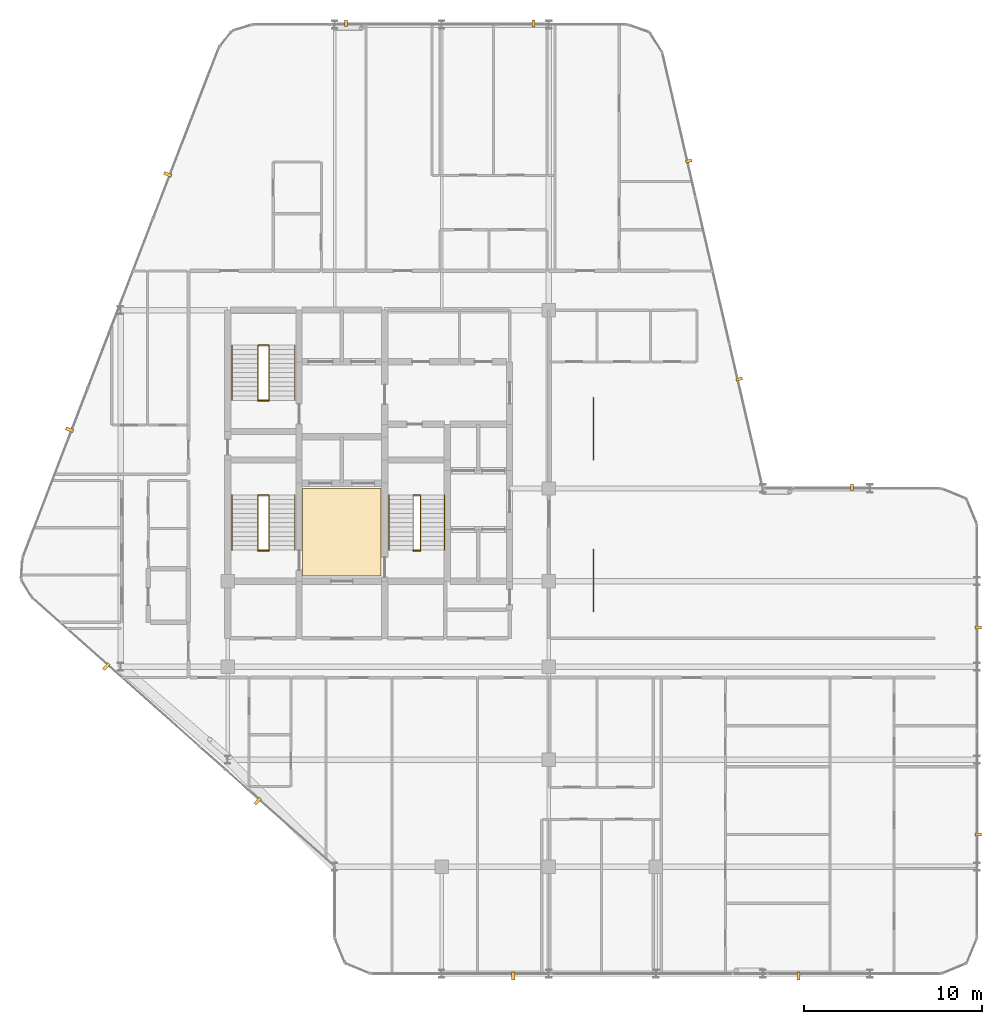
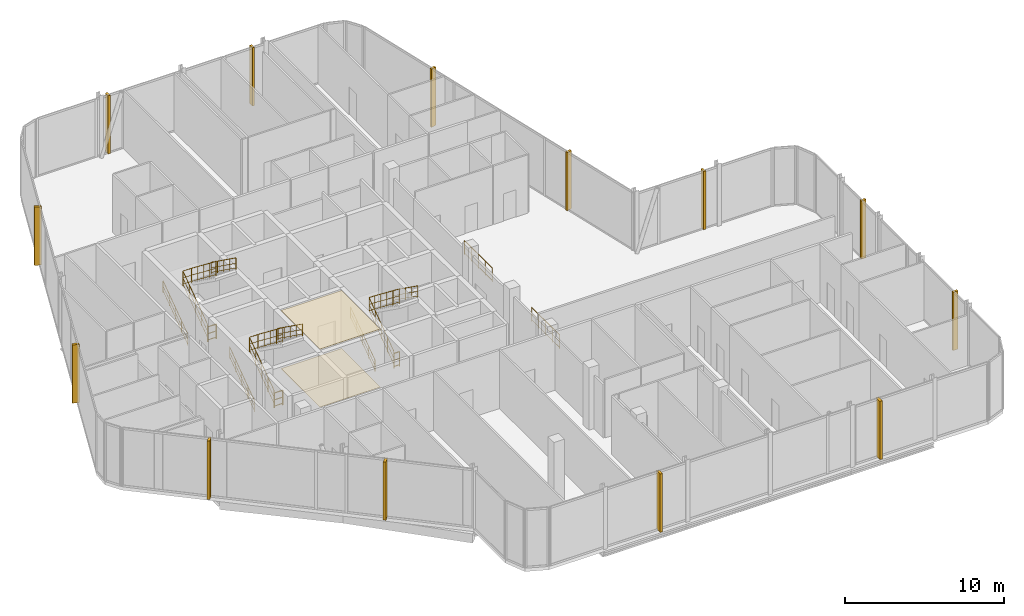
# One storey, part 29 of 29: 15 coverings, 14 railings.
"""IFC4 building model written with IfcOpenShell, lengths in metres."""

from ifc_helpers import new_model, si_unit, direction, frame, origin, origin_2d, place, context, subcontext, project, spatial, polyline, rectangle, circle, outline, extrude, material, layer, layer_set, type_object, element, save


model = new_model("IFC4")

# Units and contexts
model_context = context("Model", 3, precision=1e-05, world=origin(), true_north=direction((0.0, 1.0)))
body_context = subcontext(model_context, "Body", "Model", "MODEL_VIEW")
ifc_project = project(units=[si_unit("LENGTHUNIT", "METRE"), si_unit("AREAUNIT", "SQUARE_METRE"), si_unit("VOLUMEUNIT", "CUBIC_METRE"), si_unit("PLANEANGLEUNIT", "RADIAN"), si_unit("MASSUNIT", "GRAM", prefix="KILO")], contexts=[model_context])

# Site, building, storey
site_placement = place(None, origin())
site = spatial("IfcSite", under=ifc_project, at=site_placement, CompositionType="ELEMENT")
building_placement = place(site_placement, origin())
building = spatial("IfcBuilding", under=site, at=building_placement, Name="Keshet Zoharim Tower", CompositionType="ELEMENT")
storey_placement = place(building_placement, frame((0.0, 0.0, 218.0)))
storey = spatial("IfcBuildingStorey", under=building, at=storey_placement, Name="L54", CompositionType="ELEMENT", Elevation=218.0)

# Coverings
ifc_material_1 = material(Name="Gypsum Plasterboard", Category="gypsum")
ifc_layer_1 = layer(ifc_material_1, 0.02490234375)
ifc_layer_set_1 = layer_set([ifc_layer_1], Name="Gypsum Plasterboard")
covering_type_1 = type_object("IfcCoveringType", Name="CV-CLG-025", PredefinedType="CEILING", material=ifc_layer_set_1)
covering_1_placement = place(storey_placement, frame((0.0, 0.0, 4.465087890625)))
element("IfcCovering", 1, at=covering_1_placement, inside=storey, type_object=covering_type_1, Name="L54 Transfer Lobby Acoustic Ceiling", PredefinedType="CEILING", context=body_context, shape_type="SweptSolid", body=[
    extrude(outline(polyline([(19.199951171875, 23.0), (23.60009765625, 23.0), (23.60009765625, 27.89990234375), (19.199951171875, 27.89990234375), (19.199951171875, 23.0)])), origin(), (0.0, 0.0, 1.0), 0.02490234375),
])
ifc_material_2 = material(Name="Porcelain Ceramic Tile", Category="ceramic")
ifc_layer_2 = layer(ifc_material_2, 0.02001953125)
ifc_layer_set_2 = layer_set([ifc_layer_2], Name="Porcelain Ceramic Tile")
covering_type_2 = type_object("IfcCoveringType", Name="CV-FLR-020", PredefinedType="FLOORING", material=ifc_layer_set_2)
covering_2_placement = place(storey_placement, origin())
element("IfcCovering", 2, at=covering_2_placement, inside=storey, type_object=covering_type_2, Name="L54 Transfer Lobby Porcelain Flooring", PredefinedType="FLOORING", context=body_context, shape_type="SweptSolid", body=[
    extrude(outline(polyline([(19.199951171875, 23.0), (23.60009765625, 23.0), (23.60009765625, 27.89990234375), (19.199951171875, 27.89990234375), (19.199951171875, 23.0)])), origin(), (0.0, 0.0, 1.0), 0.02001953125),
])
ifc_material_3 = material(Name="Concrete C50/60 precast", Category="concrete")
covering_type_3 = type_object("IfcCoveringType", Name="FIN-SOL-360", PredefinedType="CLADDING", material=ifc_material_3)
for number, where, z_axis, x_axis, name in (
    (3, (57.080078125, 20.10009765625, 0.0), (0.0, 0.0, 1.0), (0.0, -1.0, 0.0), "L54 Vertical Precast Solar Fin 01"),
    (4, (57.080078125, 8.5, 0.0), (0.0, 0.0, 1.0), (0.0, -1.0, 0.0), "L54 Vertical Precast Solar Fin 02"),
    (5, (21.633056640625, 53.97998046875, 0.0), (0.0, 0.0, 1.0), (1.0, 0.0, 0.0), "L54 Vertical Precast Solar Fin 09"),
    (6, (32.14990234375, 53.97998046875, 0.0), (0.0, 0.0, 1.0), (1.0, 0.0, 0.0), "L54 Vertical Precast Solar Fin 10"),
    (7, (40.845947265625, 46.2548828125, 0.0), (0.0, 0.0, 1.0), (0.224847864369, -0.974393882313, 0.0), "L54 Vertical Precast Solar Fin 11"),
    (8, (43.6669921875, 34.030029296875, 0.0), (0.0, 0.0, 1.0), (0.224847864369, -0.974393882313, 0.0), "L54 Vertical Precast Solar Fin 12"),
    (9, (50.0, 27.97998046875, 0.0), (0.0, 0.0, 1.0), (1.0, 0.0, 0.0), "L54 Vertical Precast Solar Fin 13"),
):
    element("IfcCovering", number, at=place(storey_placement, frame(where, z_axis=z_axis, x_axis=x_axis)), inside=storey, type_object=covering_type_3, Name=name, PredefinedType="CLADDING", context=body_context, shape_type="SweptSolid", body=[
        extrude(rectangle(XDim=0.159912109375, YDim=0.360107421875, at=origin_2d()), origin(), (0.0, 0.0, 1.0), 4.489990234375),
    ])
covering_type_4 = type_object("IfcCoveringType", Name="FIN-SOL-450", PredefinedType="CLADDING", material=ifc_material_3)
for number, where, z_axis, x_axis, name in (
    (10, (47.0, 0.574951171875, 0.0), (0.0, 0.0, 1.0), (-1.0, 0.0, 0.0), "L54 Vertical Precast Solar Fin 03"),
    (11, (31.0, 0.574951171875, 0.0), (0.0, 0.0, 1.0), (-1.0, 0.0, 0.0), "L54 Vertical Precast Solar Fin 04"),
    (12, (16.676025390625, 10.376953125, 0.0), (0.0, 0.0, 1.0), (-0.747409318679, 0.664363838836, 0.0), "L54 Vertical Precast Solar Fin 05"),
    (13, (8.193115234375, 17.9169921875, 0.0), (0.0, 0.0, 1.0), (-0.747409318679, 0.664363838836, 0.0), "L54 Vertical Precast Solar Fin 06"),
    (14, (6.133056640625, 31.194091796875, 0.0), (0.0, 0.0, 1.0), (0.358990003907, 0.933341404361, 0.0), "L54 Vertical Precast Solar Fin 07"),
    (15, (11.637939453125, 45.507080078125, 0.0), (0.0, 0.0, 1.0), (0.358990003907, 0.933341404361, 0.0), "L54 Vertical Precast Solar Fin 08"),
):
    element("IfcCovering", number, at=place(storey_placement, frame(where, z_axis=z_axis, x_axis=x_axis)), inside=storey, type_object=covering_type_4, Name=name, PredefinedType="CLADDING", context=body_context, shape_type="SweptSolid", body=[
        extrude(rectangle(XDim=0.179931640625, YDim=0.449951171875, at=origin_2d()), origin(), (0.0, 0.0, 1.0), 4.489990234375),
    ])

# Railings
ifc_material_4 = material(Name="Insulated Low-E Clear Glass", Category="glass")
ifc_layer_3 = layer(ifc_material_4, 0.080078125)
ifc_layer_set_3 = layer_set([ifc_layer_3], Name="Insulated Low-E Clear Glass")
railing_type_1 = type_object("IfcRailingType", Name="RL-BAL-110", PredefinedType="BALUSTRADE", material=ifc_layer_set_3)
for number, where, name in (
    (16, (35.5, 21.0, 0.0), "L54 Lobby Glazed Balustrade 01"),
    (17, (35.5, 29.5, 0.0), "L54 Lobby Glazed Balustrade 02"),
):
    element("IfcRailing", number, at=place(storey_placement, frame(where)), inside=storey, type_object=railing_type_1, Name=name, PredefinedType="BALUSTRADE", context=body_context, shape_type="SweptSolid", body=[
        extrude(circle(Radius=0.02392578125, at=origin_2d()), frame((0.0, 0.0, 1.076171875), z_axis=(0.0, 1.0, 0.0), x_axis=(-1.0, 0.0, 0.0)), (0.0, 0.0, 1.0), 3.5),
        extrude(circle(Radius=0.01611328125, at=origin_2d()), frame((0.0, 0.0, 0.572021484375), z_axis=(0.0, 1.0, 0.0), x_axis=(-1.0, 0.0, 0.0)), (0.0, 0.0, 1.0), 3.5),
        extrude(circle(Radius=0.01611328125, at=origin_2d()), frame((0.0, 0.0, 0.1201171875), z_axis=(0.0, 1.0, 0.0), x_axis=(-1.0, 0.0, 0.0)), (0.0, 0.0, 1.0), 3.5),
        extrude(circle(Radius=0.02099609375, at=origin_2d()), origin(), (0.0, 0.0, 1.0), 1.052001953125),
        extrude(circle(Radius=0.02099609375, at=origin_2d()), frame((0.0, 0.875, 0.0)), (0.0, 0.0, 1.0), 1.052001953125),
        extrude(circle(Radius=0.02099609375, at=origin_2d()), frame((0.0, 1.75, 0.0)), (0.0, 0.0, 1.0), 1.052001953125),
        extrude(circle(Radius=0.02099609375, at=origin_2d()), frame((0.0, 2.625, 0.0)), (0.0, 0.0, 1.0), 1.052001953125),
        extrude(circle(Radius=0.02099609375, at=origin_2d()), frame((0.0, 3.5, 0.0)), (0.0, 0.0, 1.0), 1.052001953125),
    ])
ifc_material_5 = material(Name="Steel S355", Category="steel")
ifc_layer_4 = layer(ifc_material_5, 0.050048828125)
ifc_layer_set_4 = layer_set([ifc_layer_4], Name="Steel S355")
railing_type_2 = type_object("IfcRailingType", Name="RL-HND-092", PredefinedType="HANDRAIL", material=ifc_layer_set_4)
railing_1_placement = place(storey_placement, frame((15.239990234375, 24.43994140625, 0.1845703125)))
element("IfcRailing", 18, at=railing_1_placement, inside=storey, type_object=railing_type_2, Name="L54 ST-01 Flight 1 Wall Handrail", PredefinedType="HANDRAIL", context=body_context, shape_type="SweptSolid", body=[
    extrude(circle(Radius=0.02392578125, at=origin_2d()), frame((0.0, 0.0, 0.89599609375), z_axis=(0.0, 0.813243534622, 0.581923494453), x_axis=(-1.0, 0.0, 0.0)), (0.0, 0.0, 1.0), 3.806884765625),
    extrude(circle(Radius=0.01611328125, at=origin_2d()), frame((0.0, 0.0, 0.478271484375), z_axis=(0.0, 0.813243534622, 0.581923494453), x_axis=(-1.0, 0.0, 0.0)), (0.0, 0.0, 1.0), 3.806884765625),
    extrude(circle(Radius=0.01611328125, at=origin_2d()), frame((0.0, 0.0, 0.1201171875), z_axis=(0.0, 0.813243534622, 0.581923494453), x_axis=(-1.0, 0.0, 0.0)), (0.0, 0.0, 1.0), 3.806884765625),
    extrude(circle(Radius=0.02099609375, at=origin_2d()), origin(), (0.0, 0.0, 1.0), 0.871826171875),
    extrude(circle(Radius=0.02099609375, at=origin_2d()), frame((0.0, 0.77392578125, 0.5537109375)), (0.0, 0.0, 1.0), 0.871826171875),
    extrude(circle(Radius=0.02099609375, at=origin_2d()), frame((0.0, 1.5478515625, 1.107666015625)), (0.0, 0.0, 1.0), 0.871826171875),
    extrude(circle(Radius=0.02099609375, at=origin_2d()), frame((0.0, 2.322021484375, 1.66162109375)), (0.0, 0.0, 1.0), 0.871826171875),
    extrude(circle(Radius=0.02099609375, at=origin_2d()), frame((0.0, 3.095947265625, 2.21533203125)), (0.0, 0.0, 1.0), 0.871826171875),
])
railing_2_placement = place(storey_placement, frame((18.760009765625, 27.535888671875, 2.584716796875)))
element("IfcRailing", 19, at=railing_2_placement, inside=storey, type_object=railing_type_2, Name="L54 ST-01 Flight 2 Wall Handrail", PredefinedType="HANDRAIL", context=body_context, shape_type="SweptSolid", body=[
    extrude(circle(Radius=0.02392578125, at=origin_2d()), frame((0.0, 0.0, 0.89599609375), z_axis=(0.0, -0.813243534622, 0.581923494453), x_axis=(1.0, 0.0, 0.0)), (0.0, 0.0, 1.0), 3.806884765625),
    extrude(circle(Radius=0.01611328125, at=origin_2d()), frame((0.0, 0.0, 0.478271484375), z_axis=(0.0, -0.813243534622, 0.581923494453), x_axis=(1.0, 0.0, 0.0)), (0.0, 0.0, 1.0), 3.806884765625),
    extrude(circle(Radius=0.01611328125, at=origin_2d()), frame((0.0, 0.0, 0.1201171875), z_axis=(0.0, -0.813243534622, 0.581923494453), x_axis=(1.0, 0.0, 0.0)), (0.0, 0.0, 1.0), 3.806884765625),
    extrude(circle(Radius=0.02099609375, at=origin_2d()), origin(), (0.0, 0.0, 1.0), 0.871826171875),
    extrude(circle(Radius=0.02099609375, at=origin_2d()), frame((0.0, -0.77392578125, 0.5537109375)), (0.0, 0.0, 1.0), 0.871826171875),
    extrude(circle(Radius=0.02099609375, at=origin_2d()), frame((0.0, -1.5478515625, 1.107666015625)), (0.0, 0.0, 1.0), 0.871826171875),
    extrude(circle(Radius=0.02099609375, at=origin_2d()), frame((0.0, -2.322021484375, 1.66162109375)), (0.0, 0.0, 1.0), 0.871826171875),
    extrude(circle(Radius=0.02099609375, at=origin_2d()), frame((0.0, -3.095947265625, 2.21533203125)), (0.0, 0.0, 1.0), 0.871826171875),
])
railing_3_placement = place(storey_placement, frame((15.239990234375, 32.840087890625, 0.1845703125)))
element("IfcRailing", 20, at=railing_3_placement, inside=storey, type_object=railing_type_2, Name="L54 ST-02 Flight 1 Wall Handrail", PredefinedType="HANDRAIL", context=body_context, shape_type="SweptSolid", body=[
    extrude(circle(Radius=0.02392578125, at=origin_2d()), frame((0.0, 0.0, 0.89599609375), z_axis=(0.0, 0.813243534622, 0.581923494453), x_axis=(-1.0, 0.0, 0.0)), (0.0, 0.0, 1.0), 3.806884765625),
    extrude(circle(Radius=0.01611328125, at=origin_2d()), frame((0.0, 0.0, 0.478271484375), z_axis=(0.0, 0.813243534622, 0.581923494453), x_axis=(-1.0, 0.0, 0.0)), (0.0, 0.0, 1.0), 3.806884765625),
    extrude(circle(Radius=0.01611328125, at=origin_2d()), frame((0.0, 0.0, 0.1201171875), z_axis=(0.0, 0.813243534622, 0.581923494453), x_axis=(-1.0, 0.0, 0.0)), (0.0, 0.0, 1.0), 3.806884765625),
    extrude(circle(Radius=0.02099609375, at=origin_2d()), origin(), (0.0, 0.0, 1.0), 0.871826171875),
    extrude(circle(Radius=0.02099609375, at=origin_2d()), frame((0.0, 0.77392578125, 0.5537109375)), (0.0, 0.0, 1.0), 0.871826171875),
    extrude(circle(Radius=0.02099609375, at=origin_2d()), frame((0.0, 1.5478515625, 1.107666015625)), (0.0, 0.0, 1.0), 0.871826171875),
    extrude(circle(Radius=0.02099609375, at=origin_2d()), frame((0.0, 2.322021484375, 1.66162109375)), (0.0, 0.0, 1.0), 0.871826171875),
    extrude(circle(Radius=0.02099609375, at=origin_2d()), frame((0.0, 3.095947265625, 2.21533203125)), (0.0, 0.0, 1.0), 0.871826171875),
])
railing_4_placement = place(storey_placement, frame((18.760009765625, 35.93603515625, 2.584716796875)))
element("IfcRailing", 21, at=railing_4_placement, inside=storey, type_object=railing_type_2, Name="L54 ST-02 Flight 2 Wall Handrail", PredefinedType="HANDRAIL", context=body_context, shape_type="SweptSolid", body=[
    extrude(circle(Radius=0.02392578125, at=origin_2d()), frame((0.0, 0.0, 0.89599609375), z_axis=(0.0, -0.813243534622, 0.581923494453), x_axis=(1.0, 0.0, 0.0)), (0.0, 0.0, 1.0), 3.806884765625),
    extrude(circle(Radius=0.01611328125, at=origin_2d()), frame((0.0, 0.0, 0.478271484375), z_axis=(0.0, -0.813243534622, 0.581923494453), x_axis=(1.0, 0.0, 0.0)), (0.0, 0.0, 1.0), 3.806884765625),
    extrude(circle(Radius=0.01611328125, at=origin_2d()), frame((0.0, 0.0, 0.1201171875), z_axis=(0.0, -0.813243534622, 0.581923494453), x_axis=(1.0, 0.0, 0.0)), (0.0, 0.0, 1.0), 3.806884765625),
    extrude(circle(Radius=0.02099609375, at=origin_2d()), origin(), (0.0, 0.0, 1.0), 0.871826171875),
    extrude(circle(Radius=0.02099609375, at=origin_2d()), frame((0.0, -0.77392578125, 0.5537109375)), (0.0, 0.0, 1.0), 0.871826171875),
    extrude(circle(Radius=0.02099609375, at=origin_2d()), frame((0.0, -1.5478515625, 1.107666015625)), (0.0, 0.0, 1.0), 0.871826171875),
    extrude(circle(Radius=0.02099609375, at=origin_2d()), frame((0.0, -2.322021484375, 1.66162109375)), (0.0, 0.0, 1.0), 0.871826171875),
    extrude(circle(Radius=0.02099609375, at=origin_2d()), frame((0.0, -3.095947265625, 2.21533203125)), (0.0, 0.0, 1.0), 0.871826171875),
])
railing_5_placement = place(storey_placement, frame((24.0400390625, 24.43994140625, 0.1845703125)))
element("IfcRailing", 22, at=railing_5_placement, inside=storey, type_object=railing_type_2, Name="L54 ST-03 Flight 1 Wall Handrail", PredefinedType="HANDRAIL", context=body_context, shape_type="SweptSolid", body=[
    extrude(circle(Radius=0.02392578125, at=origin_2d()), frame((0.0, 0.0, 0.89599609375), z_axis=(0.0, 0.813243534622, 0.581923494453), x_axis=(-1.0, 0.0, 0.0)), (0.0, 0.0, 1.0), 3.806884765625),
    extrude(circle(Radius=0.01611328125, at=origin_2d()), frame((0.0, 0.0, 0.478271484375), z_axis=(0.0, 0.813243534622, 0.581923494453), x_axis=(-1.0, 0.0, 0.0)), (0.0, 0.0, 1.0), 3.806884765625),
    extrude(circle(Radius=0.01611328125, at=origin_2d()), frame((0.0, 0.0, 0.1201171875), z_axis=(0.0, 0.813243534622, 0.581923494453), x_axis=(-1.0, 0.0, 0.0)), (0.0, 0.0, 1.0), 3.806884765625),
    extrude(circle(Radius=0.02099609375, at=origin_2d()), origin(), (0.0, 0.0, 1.0), 0.871826171875),
    extrude(circle(Radius=0.02099609375, at=origin_2d()), frame((0.0, 0.77392578125, 0.5537109375)), (0.0, 0.0, 1.0), 0.871826171875),
    extrude(circle(Radius=0.02099609375, at=origin_2d()), frame((0.0, 1.5478515625, 1.107666015625)), (0.0, 0.0, 1.0), 0.871826171875),
    extrude(circle(Radius=0.02099609375, at=origin_2d()), frame((0.0, 2.322021484375, 1.66162109375)), (0.0, 0.0, 1.0), 0.871826171875),
    extrude(circle(Radius=0.02099609375, at=origin_2d()), frame((0.0, 3.095947265625, 2.21533203125)), (0.0, 0.0, 1.0), 0.871826171875),
])
railing_6_placement = place(storey_placement, frame((27.159912109375, 27.535888671875, 2.584716796875)))
element("IfcRailing", 23, at=railing_6_placement, inside=storey, type_object=railing_type_2, Name="L54 ST-03 Flight 2 Wall Handrail", PredefinedType="HANDRAIL", context=body_context, shape_type="SweptSolid", body=[
    extrude(circle(Radius=0.02392578125, at=origin_2d()), frame((0.0, 0.0, 0.89599609375), z_axis=(0.0, -0.813243534622, 0.581923494453), x_axis=(1.0, 0.0, 0.0)), (0.0, 0.0, 1.0), 3.806884765625),
    extrude(circle(Radius=0.01611328125, at=origin_2d()), frame((0.0, 0.0, 0.478271484375), z_axis=(0.0, -0.813243534622, 0.581923494453), x_axis=(1.0, 0.0, 0.0)), (0.0, 0.0, 1.0), 3.806884765625),
    extrude(circle(Radius=0.01611328125, at=origin_2d()), frame((0.0, 0.0, 0.1201171875), z_axis=(0.0, -0.813243534622, 0.581923494453), x_axis=(1.0, 0.0, 0.0)), (0.0, 0.0, 1.0), 3.806884765625),
    extrude(circle(Radius=0.02099609375, at=origin_2d()), origin(), (0.0, 0.0, 1.0), 0.871826171875),
    extrude(circle(Radius=0.02099609375, at=origin_2d()), frame((0.0, -0.77392578125, 0.5537109375)), (0.0, 0.0, 1.0), 0.871826171875),
    extrude(circle(Radius=0.02099609375, at=origin_2d()), frame((0.0, -1.5478515625, 1.107666015625)), (0.0, 0.0, 1.0), 0.871826171875),
    extrude(circle(Radius=0.02099609375, at=origin_2d()), frame((0.0, -2.322021484375, 1.66162109375)), (0.0, 0.0, 1.0), 0.871826171875),
    extrude(circle(Radius=0.02099609375, at=origin_2d()), frame((0.0, -3.095947265625, 2.21533203125)), (0.0, 0.0, 1.0), 0.871826171875),
])
ifc_layer_5 = layer(ifc_material_5, 0.06005859375)
ifc_layer_set_5 = layer_set([ifc_layer_5], Name="Steel S355")
railing_type_3 = type_object("IfcRailingType", Name="RL-STG-115", PredefinedType="GUARDRAIL", material=ifc_layer_set_5)
railing_7_placement = place(storey_placement, frame((16.68994140625, 24.43994140625, 0.1845703125)))
element("IfcRailing", 24, at=railing_7_placement, inside=storey, type_object=railing_type_3, Name="L54 ST-01 Inner Well Guardrail", PredefinedType="GUARDRAIL", context=body_context, shape_type="SweptSolid", body=[
    extrude(circle(Radius=0.02392578125, at=origin_2d()), frame((0.0, 0.0, 1.1259765625), z_axis=(0.0, 0.813243534622, 0.581923494453), x_axis=(-1.0, 0.0, 0.0)), (0.0, 0.0, 1.0), 3.806884765625),
    extrude(circle(Radius=0.01611328125, at=origin_2d()), frame((0.0, 0.0, 0.597900390625), z_axis=(0.0, 0.813243534622, 0.581923494453), x_axis=(-1.0, 0.0, 0.0)), (0.0, 0.0, 1.0), 3.806884765625),
    extrude(circle(Radius=0.01611328125, at=origin_2d()), frame((0.0, 0.0, 0.1201171875), z_axis=(0.0, 0.813243534622, 0.581923494453), x_axis=(-1.0, 0.0, 0.0)), (0.0, 0.0, 1.0), 3.806884765625),
    extrude(circle(Radius=0.02392578125, at=origin_2d()), frame((0.0, 3.095947265625, 3.34130859375), z_axis=(1.0, 0.0, 0.0), x_axis=(0.0, 1.0, 0.0)), (0.0, 0.0, 1.0), 0.6201171875),
    extrude(circle(Radius=0.01611328125, at=origin_2d()), frame((0.0, 3.095947265625, 2.813232421875), z_axis=(1.0, 0.0, 0.0), x_axis=(0.0, 1.0, 0.0)), (0.0, 0.0, 1.0), 0.6201171875),
    extrude(circle(Radius=0.01611328125, at=origin_2d()), frame((0.0, 3.095947265625, 2.33544921875), z_axis=(1.0, 0.0, 0.0), x_axis=(0.0, 1.0, 0.0)), (0.0, 0.0, 1.0), 0.6201171875),
    extrude(circle(Radius=0.02392578125, at=origin_2d()), frame((0.6201171875, 3.095947265625, 3.34130859375), z_axis=(0.0, -0.790317724902, 0.612697228414), x_axis=(1.0, 0.0, 0.0)), (0.0, 0.0, 1.0), 3.917236328125),
    extrude(circle(Radius=0.01611328125, at=origin_2d()), frame((0.6201171875, 3.095947265625, 2.813232421875), z_axis=(0.0, -0.790317724902, 0.612697228414), x_axis=(1.0, 0.0, 0.0)), (0.0, 0.0, 1.0), 3.917236328125),
    extrude(circle(Radius=0.01611328125, at=origin_2d()), frame((0.6201171875, 3.095947265625, 2.33544921875), z_axis=(0.0, -0.790317724902, 0.612697228414), x_axis=(1.0, 0.0, 0.0)), (0.0, 0.0, 1.0), 3.917236328125),
    extrude(circle(Radius=0.02099609375, at=origin_2d()), origin(), (0.0, 0.0, 1.0), 1.101806640625),
    extrude(circle(Radius=0.02099609375, at=origin_2d()), frame((0.0, 0.77392578125, 0.5537109375)), (0.0, 0.0, 1.0), 1.101806640625),
    extrude(circle(Radius=0.02099609375, at=origin_2d()), frame((0.0, 1.5478515625, 1.107666015625)), (0.0, 0.0, 1.0), 1.101806640625),
    extrude(circle(Radius=0.02099609375, at=origin_2d()), frame((0.0, 2.322021484375, 1.66162109375)), (0.0, 0.0, 1.0), 1.101806640625),
    extrude(circle(Radius=0.02099609375, at=origin_2d()), frame((0.0, 3.095947265625, 2.21533203125)), (0.0, 0.0, 1.0), 1.101806640625),
    extrude(circle(Radius=0.02099609375, at=origin_2d()), frame((0.6201171875, 3.095947265625, 2.21533203125)), (0.0, 0.0, 1.0), 1.101806640625),
    extrude(circle(Radius=0.02099609375, at=origin_2d()), frame((0.6201171875, 2.322021484375, 2.8154296875)), (0.0, 0.0, 1.0), 1.101806640625),
    extrude(circle(Radius=0.02099609375, at=origin_2d()), frame((0.6201171875, 1.5478515625, 3.41552734375)), (0.0, 0.0, 1.0), 1.101806640625),
    extrude(circle(Radius=0.02099609375, at=origin_2d()), frame((0.6201171875, 0.77392578125, 4.015380859375)), (0.0, 0.0, 1.0), 1.101806640625),
    extrude(circle(Radius=0.02099609375, at=origin_2d()), frame((0.6201171875, 0.0, 4.615478515625)), (0.0, 0.0, 1.0), 1.101806640625),
])
railing_8_placement = place(storey_placement, frame((16.68994140625, 24.409912109375, 0.0)))
element("IfcRailing", 25, at=railing_8_placement, inside=storey, type_object=railing_type_3, Name="L54 ST-01 Stairwell Floor Guardrail", PredefinedType="GUARDRAIL", context=body_context, shape_type="SweptSolid", body=[
    extrude(circle(Radius=0.02392578125, at=origin_2d()), frame((0.0, 0.0, 1.1259765625), z_axis=(1.0, 0.0, 0.0), x_axis=(0.0, 1.0, 0.0)), (0.0, 0.0, 1.0), 0.6201171875),
    extrude(circle(Radius=0.01611328125, at=origin_2d()), frame((0.0, 0.0, 0.597900390625), z_axis=(1.0, 0.0, 0.0), x_axis=(0.0, 1.0, 0.0)), (0.0, 0.0, 1.0), 0.6201171875),
    extrude(circle(Radius=0.01611328125, at=origin_2d()), frame((0.0, 0.0, 0.1201171875), z_axis=(1.0, 0.0, 0.0), x_axis=(0.0, 1.0, 0.0)), (0.0, 0.0, 1.0), 0.6201171875),
    extrude(circle(Radius=0.02099609375, at=origin_2d()), origin(), (0.0, 0.0, 1.0), 1.101806640625),
    extrude(circle(Radius=0.02099609375, at=origin_2d()), frame((0.6201171875, 0.0, 0.0)), (0.0, 0.0, 1.0), 1.101806640625),
])
railing_9_placement = place(storey_placement, frame((16.68994140625, 32.840087890625, 0.1845703125)))
element("IfcRailing", 26, at=railing_9_placement, inside=storey, type_object=railing_type_3, Name="L54 ST-02 Inner Well Guardrail", PredefinedType="GUARDRAIL", context=body_context, shape_type="SweptSolid", body=[
    extrude(circle(Radius=0.02392578125, at=origin_2d()), frame((0.0, 0.0, 1.1259765625), z_axis=(0.0, 0.813243534622, 0.581923494453), x_axis=(-1.0, 0.0, 0.0)), (0.0, 0.0, 1.0), 3.806884765625),
    extrude(circle(Radius=0.01611328125, at=origin_2d()), frame((0.0, 0.0, 0.597900390625), z_axis=(0.0, 0.813243534622, 0.581923494453), x_axis=(-1.0, 0.0, 0.0)), (0.0, 0.0, 1.0), 3.806884765625),
    extrude(circle(Radius=0.01611328125, at=origin_2d()), frame((0.0, 0.0, 0.1201171875), z_axis=(0.0, 0.813243534622, 0.581923494453), x_axis=(-1.0, 0.0, 0.0)), (0.0, 0.0, 1.0), 3.806884765625),
    extrude(circle(Radius=0.02392578125, at=origin_2d()), frame((0.0, 3.095947265625, 3.34130859375), z_axis=(1.0, 0.0, 0.0), x_axis=(0.0, 1.0, 0.0)), (0.0, 0.0, 1.0), 0.6201171875),
    extrude(circle(Radius=0.01611328125, at=origin_2d()), frame((0.0, 3.095947265625, 2.813232421875), z_axis=(1.0, 0.0, 0.0), x_axis=(0.0, 1.0, 0.0)), (0.0, 0.0, 1.0), 0.6201171875),
    extrude(circle(Radius=0.01611328125, at=origin_2d()), frame((0.0, 3.095947265625, 2.33544921875), z_axis=(1.0, 0.0, 0.0), x_axis=(0.0, 1.0, 0.0)), (0.0, 0.0, 1.0), 0.6201171875),
    extrude(circle(Radius=0.02392578125, at=origin_2d()), frame((0.6201171875, 3.095947265625, 3.34130859375), z_axis=(0.0, -0.790317724902, 0.612697228414), x_axis=(1.0, 0.0, 0.0)), (0.0, 0.0, 1.0), 3.917236328125),
    extrude(circle(Radius=0.01611328125, at=origin_2d()), frame((0.6201171875, 3.095947265625, 2.813232421875), z_axis=(0.0, -0.790317724902, 0.612697228414), x_axis=(1.0, 0.0, 0.0)), (0.0, 0.0, 1.0), 3.917236328125),
    extrude(circle(Radius=0.01611328125, at=origin_2d()), frame((0.6201171875, 3.095947265625, 2.33544921875), z_axis=(0.0, -0.790317724902, 0.612697228414), x_axis=(1.0, 0.0, 0.0)), (0.0, 0.0, 1.0), 3.917236328125),
    extrude(circle(Radius=0.02099609375, at=origin_2d()), origin(), (0.0, 0.0, 1.0), 1.101806640625),
    extrude(circle(Radius=0.02099609375, at=origin_2d()), frame((0.0, 0.77392578125, 0.5537109375)), (0.0, 0.0, 1.0), 1.101806640625),
    extrude(circle(Radius=0.02099609375, at=origin_2d()), frame((0.0, 1.5478515625, 1.107666015625)), (0.0, 0.0, 1.0), 1.101806640625),
    extrude(circle(Radius=0.02099609375, at=origin_2d()), frame((0.0, 2.322021484375, 1.66162109375)), (0.0, 0.0, 1.0), 1.101806640625),
    extrude(circle(Radius=0.02099609375, at=origin_2d()), frame((0.0, 3.095947265625, 2.21533203125)), (0.0, 0.0, 1.0), 1.101806640625),
    extrude(circle(Radius=0.02099609375, at=origin_2d()), frame((0.6201171875, 3.095947265625, 2.21533203125)), (0.0, 0.0, 1.0), 1.101806640625),
    extrude(circle(Radius=0.02099609375, at=origin_2d()), frame((0.6201171875, 2.322021484375, 2.8154296875)), (0.0, 0.0, 1.0), 1.101806640625),
    extrude(circle(Radius=0.02099609375, at=origin_2d()), frame((0.6201171875, 1.5478515625, 3.41552734375)), (0.0, 0.0, 1.0), 1.101806640625),
    extrude(circle(Radius=0.02099609375, at=origin_2d()), frame((0.6201171875, 0.77392578125, 4.015380859375)), (0.0, 0.0, 1.0), 1.101806640625),
    extrude(circle(Radius=0.02099609375, at=origin_2d()), frame((0.6201171875, 0.0, 4.615478515625)), (0.0, 0.0, 1.0), 1.101806640625),
])
railing_10_placement = place(storey_placement, frame((16.68994140625, 32.81005859375, 0.0)))
element("IfcRailing", 27, at=railing_10_placement, inside=storey, type_object=railing_type_3, Name="L54 ST-02 Stairwell Floor Guardrail", PredefinedType="GUARDRAIL", context=body_context, shape_type="SweptSolid", body=[
    extrude(circle(Radius=0.02392578125, at=origin_2d()), frame((0.0, 0.0, 1.1259765625), z_axis=(1.0, 0.0, 0.0), x_axis=(0.0, 1.0, 0.0)), (0.0, 0.0, 1.0), 0.6201171875),
    extrude(circle(Radius=0.01611328125, at=origin_2d()), frame((0.0, 0.0, 0.597900390625), z_axis=(1.0, 0.0, 0.0), x_axis=(0.0, 1.0, 0.0)), (0.0, 0.0, 1.0), 0.6201171875),
    extrude(circle(Radius=0.01611328125, at=origin_2d()), frame((0.0, 0.0, 0.1201171875), z_axis=(1.0, 0.0, 0.0), x_axis=(0.0, 1.0, 0.0)), (0.0, 0.0, 1.0), 0.6201171875),
    extrude(circle(Radius=0.02099609375, at=origin_2d()), origin(), (0.0, 0.0, 1.0), 1.101806640625),
    extrude(circle(Radius=0.02099609375, at=origin_2d()), frame((0.6201171875, 0.0, 0.0)), (0.0, 0.0, 1.0), 1.101806640625),
])
railing_11_placement = place(storey_placement, frame((25.39990234375, 24.43994140625, 0.1845703125)))
element("IfcRailing", 28, at=railing_11_placement, inside=storey, type_object=railing_type_3, Name="L54 ST-03 Inner Well Guardrail", PredefinedType="GUARDRAIL", context=body_context, shape_type="SweptSolid", body=[
    extrude(circle(Radius=0.02392578125, at=origin_2d()), frame((0.0, 0.0, 1.1259765625), z_axis=(0.0, 0.813243534622, 0.581923494453), x_axis=(-1.0, 0.0, 0.0)), (0.0, 0.0, 1.0), 3.806884765625),
    extrude(circle(Radius=0.01611328125, at=origin_2d()), frame((0.0, 0.0, 0.597900390625), z_axis=(0.0, 0.813243534622, 0.581923494453), x_axis=(-1.0, 0.0, 0.0)), (0.0, 0.0, 1.0), 3.806884765625),
    extrude(circle(Radius=0.01611328125, at=origin_2d()), frame((0.0, 0.0, 0.1201171875), z_axis=(0.0, 0.813243534622, 0.581923494453), x_axis=(-1.0, 0.0, 0.0)), (0.0, 0.0, 1.0), 3.806884765625),
    extrude(circle(Radius=0.02392578125, at=origin_2d()), frame((0.0, 3.095947265625, 3.34130859375), z_axis=(1.0, 0.0, 0.0), x_axis=(0.0, 1.0, 0.0)), (0.0, 0.0, 1.0), 0.400146484375),
    extrude(circle(Radius=0.01611328125, at=origin_2d()), frame((0.0, 3.095947265625, 2.813232421875), z_axis=(1.0, 0.0, 0.0), x_axis=(0.0, 1.0, 0.0)), (0.0, 0.0, 1.0), 0.400146484375),
    extrude(circle(Radius=0.01611328125, at=origin_2d()), frame((0.0, 3.095947265625, 2.33544921875), z_axis=(1.0, 0.0, 0.0), x_axis=(0.0, 1.0, 0.0)), (0.0, 0.0, 1.0), 0.400146484375),
    extrude(circle(Radius=0.02392578125, at=origin_2d()), frame((0.400146484375, 3.095947265625, 3.34130859375), z_axis=(0.0, -0.790317724902, 0.612697228414), x_axis=(1.0, 0.0, 0.0)), (0.0, 0.0, 1.0), 3.917236328125),
    extrude(circle(Radius=0.01611328125, at=origin_2d()), frame((0.400146484375, 3.095947265625, 2.813232421875), z_axis=(0.0, -0.790317724902, 0.612697228414), x_axis=(1.0, 0.0, 0.0)), (0.0, 0.0, 1.0), 3.917236328125),
    extrude(circle(Radius=0.01611328125, at=origin_2d()), frame((0.400146484375, 3.095947265625, 2.33544921875), z_axis=(0.0, -0.790317724902, 0.612697228414), x_axis=(1.0, 0.0, 0.0)), (0.0, 0.0, 1.0), 3.917236328125),
    extrude(circle(Radius=0.02099609375, at=origin_2d()), origin(), (0.0, 0.0, 1.0), 1.101806640625),
    extrude(circle(Radius=0.02099609375, at=origin_2d()), frame((0.0, 0.77392578125, 0.5537109375)), (0.0, 0.0, 1.0), 1.101806640625),
    extrude(circle(Radius=0.02099609375, at=origin_2d()), frame((0.0, 1.5478515625, 1.107666015625)), (0.0, 0.0, 1.0), 1.101806640625),
    extrude(circle(Radius=0.02099609375, at=origin_2d()), frame((0.0, 2.322021484375, 1.66162109375)), (0.0, 0.0, 1.0), 1.101806640625),
    extrude(circle(Radius=0.02099609375, at=origin_2d()), frame((0.0, 3.095947265625, 2.21533203125)), (0.0, 0.0, 1.0), 1.101806640625),
    extrude(circle(Radius=0.02099609375, at=origin_2d()), frame((0.400146484375, 3.095947265625, 2.21533203125)), (0.0, 0.0, 1.0), 1.101806640625),
    extrude(circle(Radius=0.02099609375, at=origin_2d()), frame((0.400146484375, 2.322021484375, 2.8154296875)), (0.0, 0.0, 1.0), 1.101806640625),
    extrude(circle(Radius=0.02099609375, at=origin_2d()), frame((0.400146484375, 1.5478515625, 3.41552734375)), (0.0, 0.0, 1.0), 1.101806640625),
    extrude(circle(Radius=0.02099609375, at=origin_2d()), frame((0.400146484375, 0.77392578125, 4.015380859375)), (0.0, 0.0, 1.0), 1.101806640625),
    extrude(circle(Radius=0.02099609375, at=origin_2d()), frame((0.400146484375, 0.0, 4.615478515625)), (0.0, 0.0, 1.0), 1.101806640625),
])
railing_12_placement = place(storey_placement, frame((25.39990234375, 24.409912109375, 0.0)))
element("IfcRailing", 29, at=railing_12_placement, inside=storey, type_object=railing_type_3, Name="L54 ST-03 Stairwell Floor Guardrail", PredefinedType="GUARDRAIL", context=body_context, shape_type="SweptSolid", body=[
    extrude(circle(Radius=0.02392578125, at=origin_2d()), frame((0.0, 0.0, 1.1259765625), z_axis=(1.0, 0.0, 0.0), x_axis=(0.0, 1.0, 0.0)), (0.0, 0.0, 1.0), 0.400146484375),
    extrude(circle(Radius=0.01611328125, at=origin_2d()), frame((0.0, 0.0, 0.597900390625), z_axis=(1.0, 0.0, 0.0), x_axis=(0.0, 1.0, 0.0)), (0.0, 0.0, 1.0), 0.400146484375),
    extrude(circle(Radius=0.01611328125, at=origin_2d()), frame((0.0, 0.0, 0.1201171875), z_axis=(1.0, 0.0, 0.0), x_axis=(0.0, 1.0, 0.0)), (0.0, 0.0, 1.0), 0.400146484375),
    extrude(circle(Radius=0.02099609375, at=origin_2d()), origin(), (0.0, 0.0, 1.0), 1.101806640625),
    extrude(circle(Radius=0.02099609375, at=origin_2d()), frame((0.400146484375, 0.0, 0.0)), (0.0, 0.0, 1.0), 1.101806640625),
])

save(model, "model.ifc")
